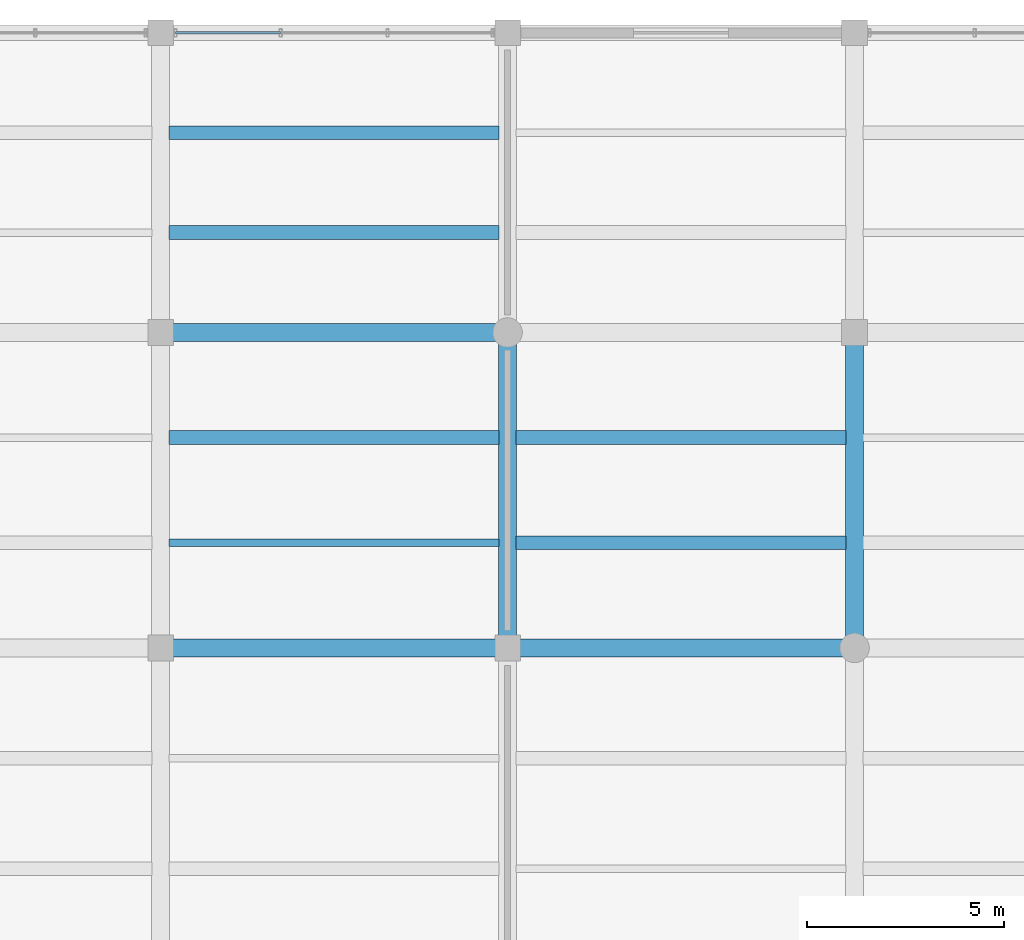
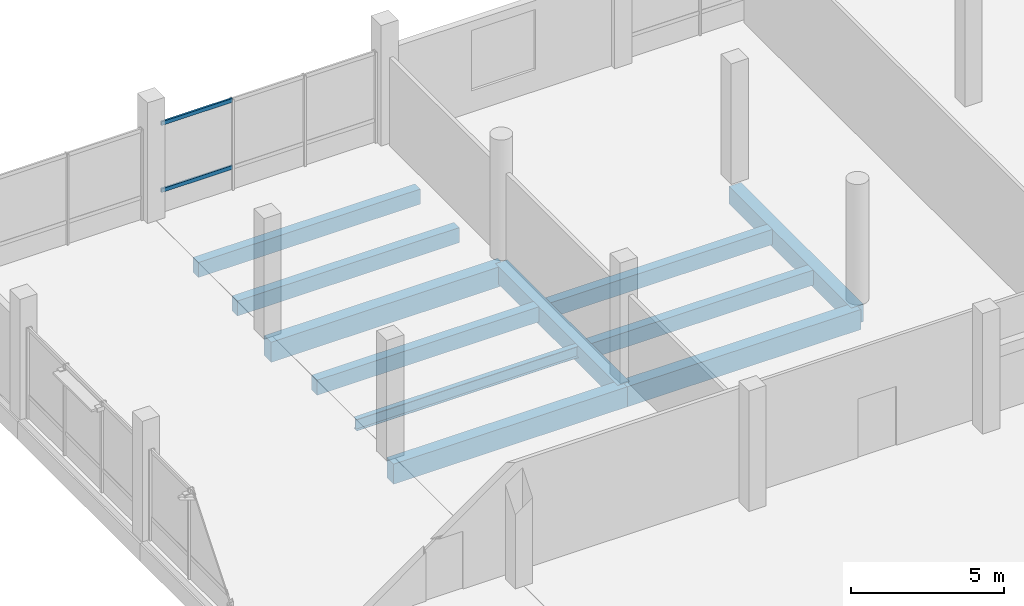
# One storey, part 39 of 71: 11 beams, 2 members, 1 element without a shape of its own.
"""IFC4 building model written with IfcOpenShell, lengths in metres."""

from ifc_helpers import new_model, si_unit, direction, frame, origin, origin_2d, place, context, subcontext, project, spatial, rectangle, hollow_rectangle, i_section, extrude, material, layer, layer_set, material_profile, profile_set, type_object, element, aggregate, save


model = new_model("IFC4")

# Units and contexts
model_context = context("Model", 3, precision=1e-05, world=origin(), true_north=direction((0.0, 1.0)))
body_context = subcontext(model_context, "Body", "Model", "MODEL_VIEW")
ifc_project = project(units=[si_unit("LENGTHUNIT", "METRE"), si_unit("AREAUNIT", "SQUARE_METRE"), si_unit("VOLUMEUNIT", "CUBIC_METRE"), si_unit("PLANEANGLEUNIT", "RADIAN"), si_unit("MASSUNIT", "GRAM", prefix="KILO")], contexts=[model_context])

# Site, building, storey
site_placement = place(None, origin())
site = spatial("IfcSite", under=ifc_project, at=site_placement, CompositionType="ELEMENT")
building_placement = place(site_placement, origin())
building = spatial("IfcBuilding", under=site, at=building_placement, Name="Meriwether Solvik Hall", CompositionType="ELEMENT")
storey_placement = place(building_placement, frame((0.0, 0.0, 5.10009765625)))
storey = spatial("IfcBuildingStorey", under=building, at=storey_placement, Name="L01", CompositionType="ELEMENT", Elevation=5.10009765625)

# Beams
ifc_material_1 = material(Name="Concrete C40/50", Category="concrete")
ifc_material_profile_1 = material_profile(ifc_material_1, rectangle(XDim=0.35009765625, YDim=0.60009765625, at=origin_2d()), Name="RCB-350X600")
ifc_profile_set_1 = profile_set([ifc_material_profile_1], Name="Concrete C40/50")
beam_type_1 = type_object("IfcBeamType", Name="BM-RC-350X600", PredefinedType="JOIST", material=ifc_profile_set_1)
for number, where, z_axis, x_axis, name in (
    (1, (114.419921875, 106.533203125, -0.60009765625), (1.0, 0.0, 0.0), (0.0, 1.0, 0.0), "Secondary Floor Joist 13/L_J2 (L01)"),
    (2, (114.419921875, 111.7333984375, -0.60009765625), (1.0, 0.0, 0.0), (0.0, 1.0, 0.0), "Secondary Floor Joist 13/M_J1 (L01)"),
    (3, (114.419921875, 114.2666015625, -0.60009765625), (1.0, 0.0, 0.0), (0.0, 1.0, 0.0), "Secondary Floor Joist 13/M_J2 (L01)"),
    (4, (123.219970703125, 103.86669921875, -0.60009765625), (1.0, 0.0, 0.0), (0.0, 1.0, 0.0), "Secondary Floor Joist 14/L_J1 (L01)"),
    (5, (123.219970703125, 106.533203125, -0.60009765625), (1.0, 0.0, 0.0), (0.0, 1.0, 0.0), "Secondary Floor Joist 14/L_J2 (L01)"),
):
    element("IfcBeam", number, at=place(storey_placement, frame(where, z_axis=z_axis, x_axis=x_axis)), inside=storey, type_object=beam_type_1, Name=name, PredefinedType="JOIST", context=body_context, shape_type="SweptSolid", body=[
        extrude(rectangle(XDim=0.35009765625, YDim=0.60009765625, at=origin_2d()), origin(), (0.0, 0.0, 1.0), 8.360107421875),
    ])
ifc_material_2 = material(Name="Concrete C40/50", Category="concrete")
ifc_material_profile_2 = material_profile(ifc_material_2, rectangle(XDim=0.449951171875, YDim=0.699951171875, at=origin_2d()), Name="RCB-450X700")
ifc_profile_set_2 = profile_set([ifc_material_profile_2], Name="Concrete C40/50")
beam_type_2 = type_object("IfcBeamType", Name="BM-RC-450X700", PredefinedType="BEAM", material=ifc_profile_set_2)
for number, where, z_axis, x_axis, name in (
    (6, (123.0, 101.199951171875, -0.650146484375), (0.0, 1.0, 0.0), (-1.0, 0.0, 0.0), "Podium Girder 14:L-M (L01)"),
    (7, (131.800048828125, 101.199951171875, -0.650146484375), (0.0, 1.0, 0.0), (-1.0, 0.0, 0.0), "Podium Girder 15:L-M (L01)"),
):
    element("IfcBeam", number, at=place(storey_placement, frame(where, z_axis=z_axis, x_axis=x_axis)), inside=storey, type_object=beam_type_2, Name=name, PredefinedType="BEAM", context=body_context, shape_type="SweptSolid", body=[
        extrude(rectangle(XDim=0.449951171875, YDim=0.699951171875, at=origin_2d()), origin(), (0.0, 0.0, 1.0), 8.0),
    ])
ifc_material_3 = material(Name="Concrete C40/50", Category="concrete")
ifc_material_profile_3 = material_profile(ifc_material_3, rectangle(XDim=0.449951171875, YDim=0.800048828125, at=origin_2d()), Name="RCB-450X800")
ifc_profile_set_3 = profile_set([ifc_material_profile_3], Name="Concrete C40/50")
beam_type_3 = type_object("IfcBeamType", Name="BM-RC-450X800", PredefinedType="BEAM", material=ifc_profile_set_3)
for number, where, z_axis, x_axis, name in (
    (8, (114.199951171875, 101.199951171875, -0.7001953125), (1.0, 0.0, 0.0), (0.0, 1.0, 0.0), "Podium Girder L:13-14 (L01)"),
    (9, (123.0, 101.199951171875, -0.7001953125), (1.0, 0.0, 0.0), (0.0, 1.0, 0.0), "Podium Girder L:14-15 (L01)"),
    (10, (114.199951171875, 109.199951171875, -0.7001953125), (1.0, 0.0, 0.0), (0.0, 1.0, 0.0), "Podium Girder M:13-14 (L01)"),
):
    element("IfcBeam", number, at=place(storey_placement, frame(where, z_axis=z_axis, x_axis=x_axis)), inside=storey, type_object=beam_type_3, Name=name, PredefinedType="BEAM", context=body_context, shape_type="SweptSolid", body=[
        extrude(rectangle(XDim=0.449951171875, YDim=0.800048828125, at=origin_2d()), origin(), (0.0, 0.0, 1.0), 8.800048828125),
    ])
ifc_material_4 = material(Name="Steel A992 Grade 50", Category="steel")
ifc_material_profile_4 = material_profile(ifc_material_4, i_section(OverallWidth=0.19091796875, OverallDepth=0.45703125, WebThickness=0.009033203125, FlangeThickness=0.014404296875, at=origin_2d()), Name="W18X50")
ifc_profile_set_4 = profile_set([ifc_material_profile_4], Name="Steel A992 Grade 50")
beam_type_4 = type_object("IfcBeamType", Name="BM-STL-W18X50", PredefinedType="JOIST", material=ifc_profile_set_4)
beam_placement = place(storey_placement, frame((114.419921875, 103.86669921875, -0.528564453125), z_axis=(1.0, 0.0, 0.0), x_axis=(0.0, 1.0, 0.0)))
element("IfcBeam", 11, at=beam_placement, inside=storey, type_object=beam_type_4, Name="Secondary Floor Joist 13/L_J1 (L01)", PredefinedType="JOIST", context=body_context, shape_type="SweptSolid", body=[
    extrude(i_section(OverallWidth=0.19091796875, OverallDepth=0.45703125, WebThickness=0.009033203125, FlangeThickness=0.014404296875, at=origin_2d()), origin(), (0.0, 0.0, 1.0), 8.360107421875),
])

# Curtain wall, members
ifc_material_5 = material(Name="Thermally Broken Anodised Aluminium 6063-T6 and Low-E Glass", Category="aluminium")
ifc_layer = layer(ifc_material_5, 0.179931640625)
ifc_layer_set = layer_set([ifc_layer], Name="Thermally Broken Anodised Aluminium 6063-T6 and Low-E Glass")
curtain_wall_type = type_object("IfcCurtainWallType", Name="CW-SF-POD-B", PredefinedType="USERDEFINED", material=ifc_layer_set)
curtain_wall_placement = place(storey_placement, origin())
curtain_wall = element("IfcCurtainWall", 12, at=curtain_wall_placement, inside=storey, type_object=curtain_wall_type, Name="Curtain Wall wing_XN_13_30 (L01)", ObjectType="STICK STOREFRONT GLAZING", PredefinedType="USERDEFINED")
ifc_material_6 = material(Name="Anodised Aluminium 6063-T6", Category="aluminium")
ifc_material_profile_5 = material_profile(ifc_material_6, hollow_rectangle(XDim=0.070068359375, YDim=0.14990234375, WallThickness=0.0048828125, at=origin_2d()), Name="CWT-70X150")
ifc_profile_set_5 = profile_set([ifc_material_profile_5], Name="Anodised Aluminium 6063-T6")
member_type = type_object("IfcMemberType", Name="CW-TRN-70X150", PredefinedType="USERDEFINED", material=ifc_profile_set_5)
member_1_placement = place(storey_placement, frame((114.574951171875, 116.800048828125, 0.8798828125), z_axis=(1.0, 0.0, 0.0), x_axis=(0.0, 1.0, 0.0)))
member_1 = element("IfcMember", 13, at=member_1_placement, type_object=member_type, Name="Curtain Wall Transom 1-sill", ObjectType="TRANSOM", PredefinedType="USERDEFINED", context=body_context, shape_type="SweptSolid", body=[
    extrude(hollow_rectangle(XDim=0.070068359375, YDim=0.14990234375, WallThickness=0.0048828125, at=origin_2d()), origin(), (0.0, 0.0, 1.0), 2.670654296875),
])
member_2_placement = place(storey_placement, frame((114.574951171875, 116.800048828125, 3.5498046875), z_axis=(1.0, 0.0, 0.0), x_axis=(0.0, 1.0, 0.0)))
member_2 = element("IfcMember", 14, at=member_2_placement, type_object=member_type, Name="Curtain Wall Transom 1-head", ObjectType="TRANSOM", PredefinedType="USERDEFINED", context=body_context, shape_type="SweptSolid", body=[
    extrude(hollow_rectangle(XDim=0.070068359375, YDim=0.14990234375, WallThickness=0.0048828125, at=origin_2d()), origin(), (0.0, 0.0, 1.0), 2.670654296875),
])
aggregate(curtain_wall, [member_1, member_2])

save(model, "model.ifc")
